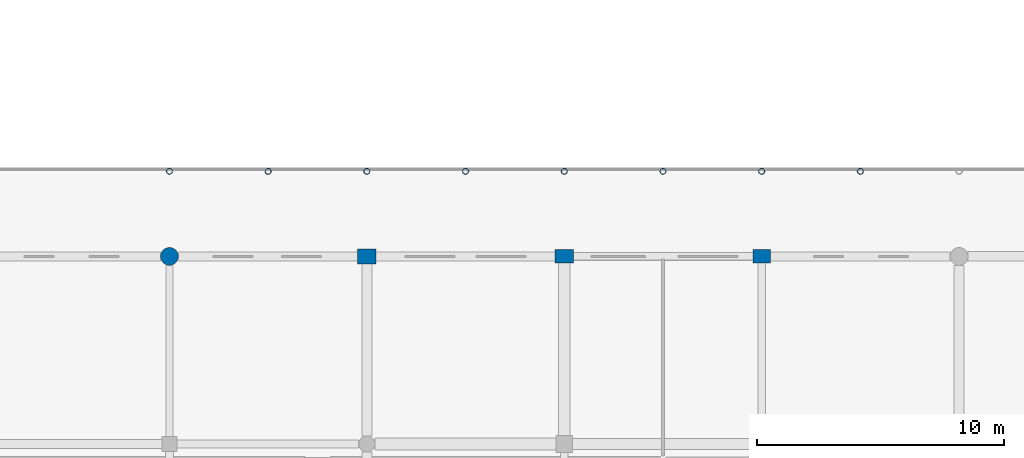
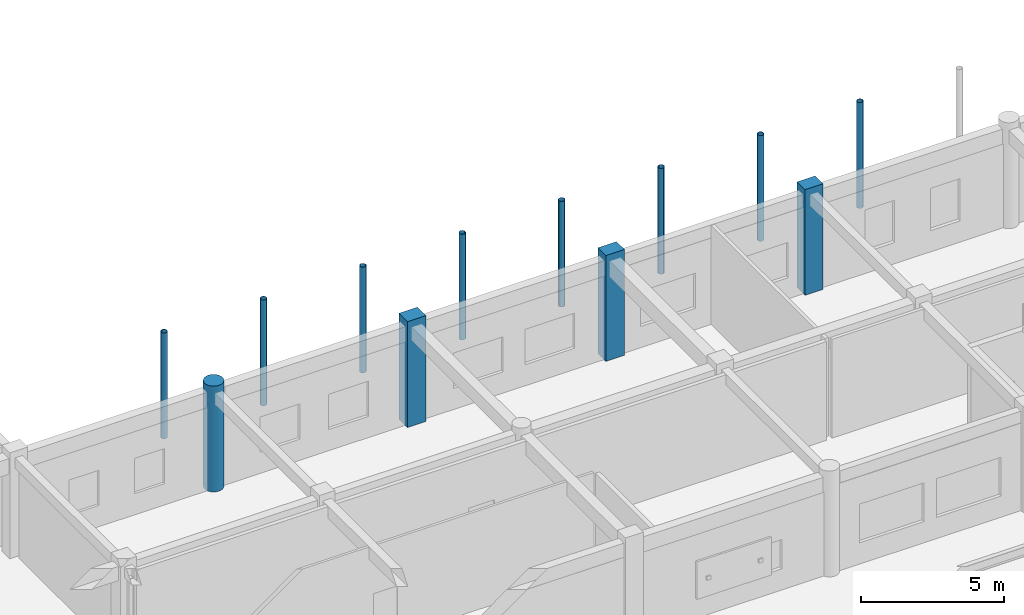
# One storey, part 10 of 160: 12 columns.
"""IFC4 building model written with IfcOpenShell, lengths in metres."""

from ifc_helpers import new_model, si_unit, direction, frame, origin, origin_2d, place, context, subcontext, project, spatial, rectangle, circle, hollow_circle, extrude, material, material_profile, profile_set, type_object, element, save


model = new_model("IFC4")

# Units and contexts
model_context = context("Model", 3, precision=1e-05, world=origin(), true_north=direction((0.0, 1.0)))
body_context = subcontext(model_context, "Body", "Model", "MODEL_VIEW")
ifc_project = project(units=[si_unit("LENGTHUNIT", "METRE"), si_unit("AREAUNIT", "SQUARE_METRE"), si_unit("VOLUMEUNIT", "CUBIC_METRE"), si_unit("PLANEANGLEUNIT", "RADIAN"), si_unit("MASSUNIT", "GRAM", prefix="KILO")], contexts=[model_context])

# Site, building, storey
site_placement = place(None, origin())
site = spatial("IfcSite", under=ifc_project, at=site_placement, CompositionType="ELEMENT")
building_placement = place(site_placement, origin())
building = spatial("IfcBuilding", under=site, at=building_placement, Name="Kharva Crest Polytechnic", CompositionType="ELEMENT")
storey_placement = place(building_placement, frame((0.0, 0.0, 4.5)))
storey = spatial("IfcBuildingStorey", under=building, at=storey_placement, Name="L01", CompositionType="ELEMENT", Elevation=4.5)

# Columns
ifc_material_1 = material(Name="Concrete C40/50", Category="concrete")
ifc_material_profile_1 = material_profile(ifc_material_1, rectangle(XDim=0.719970703125, YDim=0.550048828125, at=origin_2d()), Name="RECT 720 X 550")
ifc_profile_set_1 = profile_set([ifc_material_profile_1], Name="Concrete C40/50")
column_type_1 = type_object("IfcColumnType", Name="COL-EXT-720X550", PredefinedType="COLUMN", material=ifc_profile_set_1)
column_1_placement = place(storey_placement, frame((88.0, 22.800048828125, 0.0), z_axis=(0.0, 0.0, 1.0), x_axis=(1.0, 0.0, 0.0)))
element("IfcColumn", 1, at=column_1_placement, inside=storey, type_object=column_type_1, Name="L01 Column 12/D", PredefinedType="COLUMN", context=body_context, shape_type="SweptSolid", body=[
    extrude(rectangle(XDim=0.719970703125, YDim=0.550048828125, at=origin_2d()), origin(), (0.0, 0.0, 1.0), 4.5),
])
ifc_material_profile_2 = material_profile(ifc_material_1, rectangle(XDim=0.75, YDim=0.550048828125, at=origin_2d()), Name="RECT 750 X 550")
ifc_profile_set_2 = profile_set([ifc_material_profile_2], Name="Concrete C40/50")
column_type_2 = type_object("IfcColumnType", Name="COL-EXT-750X550", PredefinedType="COLUMN", material=ifc_profile_set_2)
column_2_placement = place(storey_placement, frame((80.0, 22.800048828125, 0.0), z_axis=(0.0, 0.0, 1.0), x_axis=(1.0, 0.0, 0.0)))
element("IfcColumn", 2, at=column_2_placement, inside=storey, type_object=column_type_2, Name="L01 Column 11/D", PredefinedType="COLUMN", context=body_context, shape_type="SweptSolid", body=[
    extrude(rectangle(XDim=0.75, YDim=0.550048828125, at=origin_2d()), origin(), (0.0, 0.0, 1.0), 4.5),
])
ifc_material_profile_3 = material_profile(ifc_material_1, rectangle(XDim=0.75, YDim=0.60009765625, at=origin_2d()), Name="RECT 750 X 600")
ifc_profile_set_3 = profile_set([ifc_material_profile_3], Name="Concrete C40/50")
column_type_3 = type_object("IfcColumnType", Name="COL-EXT-750X600", PredefinedType="COLUMN", material=ifc_profile_set_3)
column_3_placement = place(storey_placement, frame((72.0, 22.800048828125, 0.0), z_axis=(0.0, 0.0, 1.0), x_axis=(1.0, 0.0, 0.0)))
element("IfcColumn", 3, at=column_3_placement, inside=storey, type_object=column_type_3, Name="L01 Column 10/D", PredefinedType="COLUMN", context=body_context, shape_type="SweptSolid", body=[
    extrude(rectangle(XDim=0.75, YDim=0.60009765625, at=origin_2d()), origin(), (0.0, 0.0, 1.0), 4.5),
])
ifc_material_profile_4 = material_profile(ifc_material_1, circle(Radius=0.360107421875, at=origin_2d()), Name="DIA 720")
ifc_profile_set_4 = profile_set([ifc_material_profile_4], Name="Concrete C40/50")
column_type_4 = type_object("IfcColumnType", Name="COL-EXT-DIA720", PredefinedType="COLUMN", material=ifc_profile_set_4)
column_4_placement = place(storey_placement, frame((64.0, 22.800048828125, 0.0), z_axis=(0.0, 0.0, 1.0), x_axis=(1.0, 0.0, 0.0)))
element("IfcColumn", 4, at=column_4_placement, inside=storey, type_object=column_type_4, Name="L01 Column 9/D", PredefinedType="COLUMN", context=body_context, shape_type="SweptSolid", body=[
    extrude(circle(Radius=0.360107421875, at=origin_2d()), origin(), (0.0, 0.0, 1.0), 4.5),
])
ifc_material_2 = material(Name="Steel S355", Category="steel")
ifc_material_profile_5 = material_profile(ifc_material_2, hollow_circle(Radius=0.122314453125, WallThickness=0.010009765625, at=origin_2d()), Name="CHS 244.5X10.0")
ifc_profile_set_5 = profile_set([ifc_material_profile_5], Name="Steel S355")
column_type_5 = type_object("IfcColumnType", Name="COL-STL-CHS244", PredefinedType="COLUMN", material=ifc_profile_set_5)
for number, where, z_axis, x_axis, name in (
    (5, (64.0, 26.25, 0.0), (0.0, 0.0, 1.0), (1.0, 0.0, 0.0), "L01 Colonnade Column VS01"),
    (6, (72.0, 26.25, 0.0), (0.0, 0.0, 1.0), (1.0, 0.0, 0.0), "L01 Colonnade Column VS02"),
    (7, (80.0, 26.25, 0.0), (0.0, 0.0, 1.0), (1.0, 0.0, 0.0), "L01 Colonnade Column VS03"),
    (8, (88.0, 26.25, 0.0), (0.0, 0.0, 1.0), (1.0, 0.0, 0.0), "L01 Colonnade Column VS04"),
    (9, (68.0, 26.25, 0.0), (0.0, 0.0, 1.0), (1.0, 0.0, 0.0), "L01 Colonnade Mid Column VSM01"),
    (10, (76.0, 26.25, 0.0), (0.0, 0.0, 1.0), (1.0, 0.0, 0.0), "L01 Colonnade Mid Column VSM02"),
    (11, (84.0, 26.25, 0.0), (0.0, 0.0, 1.0), (1.0, 0.0, 0.0), "L01 Colonnade Mid Column VSM03"),
    (12, (92.0, 26.25, 0.0), (0.0, 0.0, 1.0), (1.0, 0.0, 0.0), "L01 Colonnade Mid Column VSM04"),
):
    element("IfcColumn", number, at=place(storey_placement, frame(where, z_axis=z_axis, x_axis=x_axis)), inside=storey, type_object=column_type_5, Name=name, PredefinedType="COLUMN", context=body_context, shape_type="SweptSolid", body=[
        extrude(hollow_circle(Radius=0.122314453125, WallThickness=0.010009765625, at=origin_2d()), origin(), (0.0, 0.0, 1.0), 4.5),
    ])

save(model, "model.ifc")
